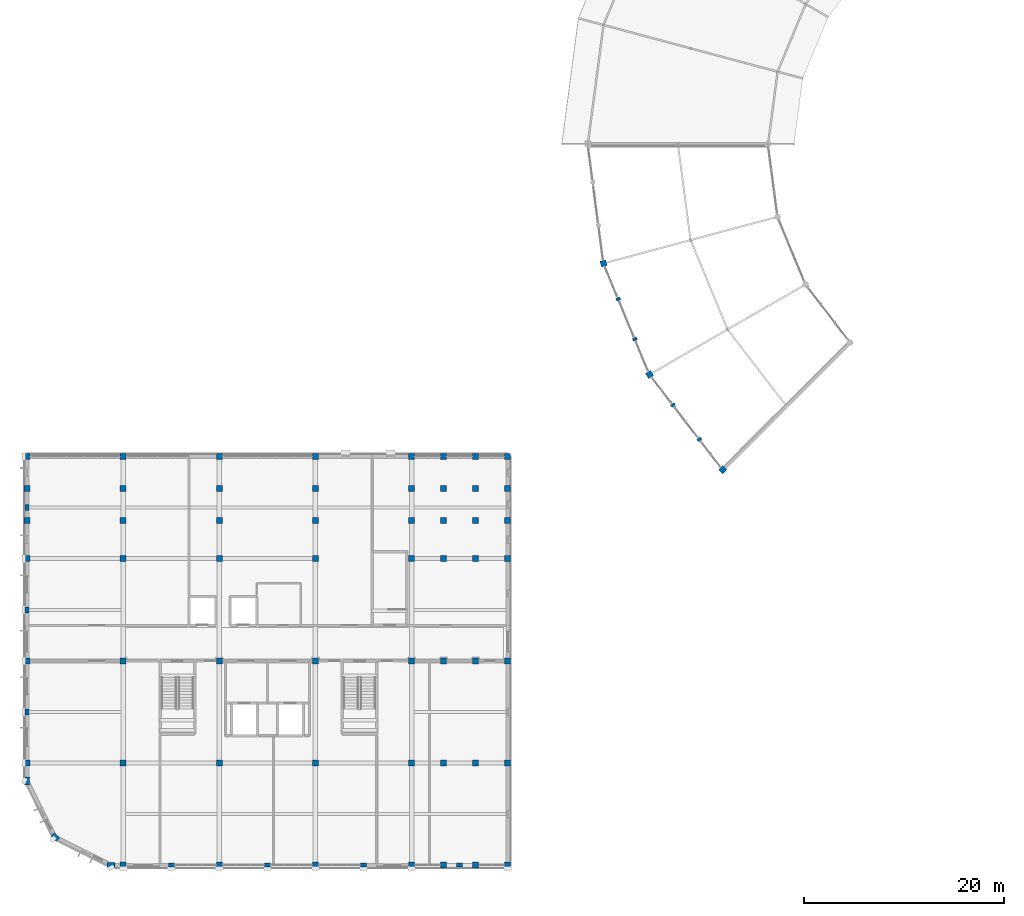
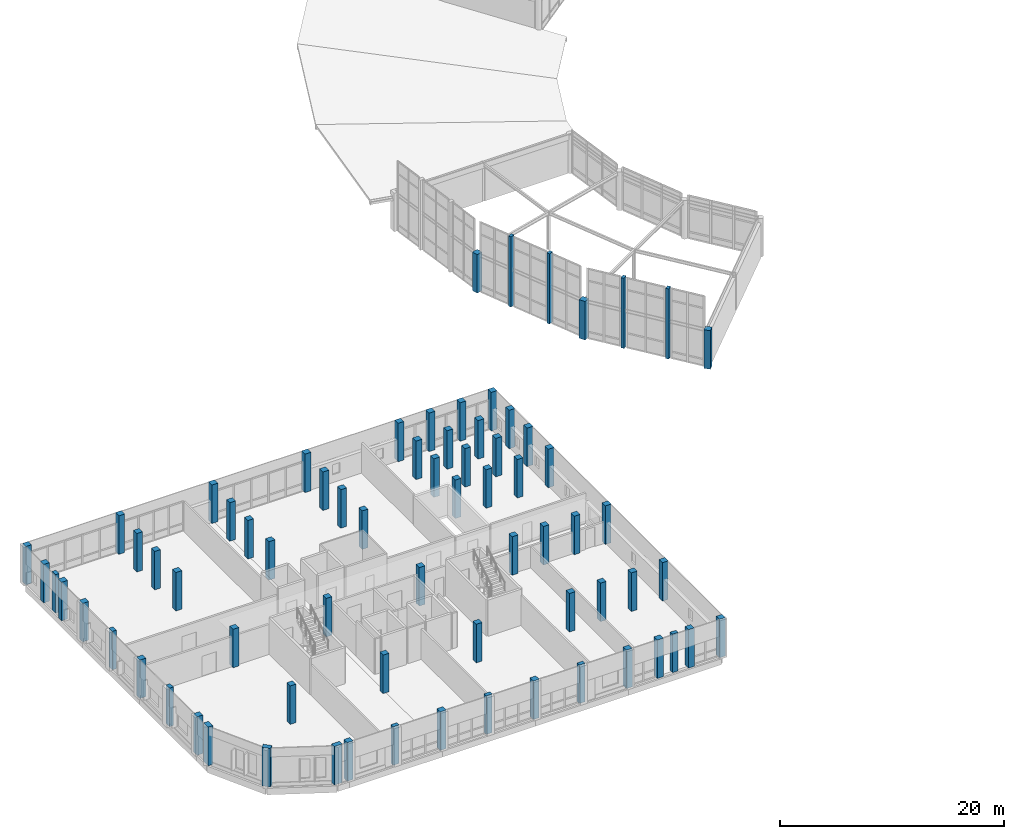
# One storey, part 1 of 93: 72 columns.
"""IFC4 building model written with IfcOpenShell, lengths in metres."""

from ifc_helpers import new_model, si_unit, direction, frame, origin, origin_2d, place, context, subcontext, project, spatial, rectangle, extrude, material, material_profile, profile_set, type_object, element, save


model = new_model("IFC4")

# Units and contexts
model_context = context("Model", 3, precision=1e-05, world=origin(), true_north=direction((0.0, 1.0)))
body_context = subcontext(model_context, "Body", "Model", "MODEL_VIEW")
ifc_project = project(units=[si_unit("LENGTHUNIT", "METRE"), si_unit("AREAUNIT", "SQUARE_METRE"), si_unit("VOLUMEUNIT", "CUBIC_METRE"), si_unit("PLANEANGLEUNIT", "RADIAN"), si_unit("MASSUNIT", "GRAM", prefix="KILO")], contexts=[model_context])

# Site, building, storey
site_placement = place(None, origin())
site = spatial("IfcSite", under=ifc_project, at=site_placement, CompositionType="ELEMENT")
building_placement = place(site_placement, origin())
building = spatial("IfcBuilding", under=site, at=building_placement, Name="Vondelvale Polytechnic", CompositionType="ELEMENT")
storey_placement = place(building_placement, frame((0.0, 0.0, 18.0)))
storey = spatial("IfcBuildingStorey", under=building, at=storey_placement, Name="L04", CompositionType="ELEMENT", Elevation=18.0)

# Columns
ifc_material_1 = material(Name="Glulam GL18 structural Tasmanian oak (fb = 42 MPa)", Category="wood")
ifc_material_profile_1 = material_profile(ifc_material_1, rectangle(XDim=0.300048828125, YDim=0.449951171875, at=origin_2d()), Name="GL-POST-300x450")
ifc_profile_set_1 = profile_set([ifc_material_profile_1], Name="Glulam GL18 structural Tasmanian oak (fb = 42 MPa)")
column_type_1 = type_object("IfcColumnType", Name="COL-GLULAM-300x450", PredefinedType="PILASTER", material=ifc_profile_set_1)
for number, where, z_axis, x_axis, name in (
    (1, (59.037841796875, 56.544189453125, 0.0), (0.0, 0.0, 1.0), (-0.382683432365, 0.923879532511, 0.0), "L04 ring outer glulam timber post C13-P1"),
    (2, (60.6923828125, 52.55029296875, 0.0), (0.0, 0.0, 1.0), (-0.382683432365, 0.923879532511, 0.0), "L04 ring outer glulam timber post C13-P2"),
    (3, (64.502197265625, 45.951416015625, 0.0), (0.0, 0.0, 1.0), (-0.608761429009, 0.793353340291, 0.0), "L04 ring outer glulam timber post C14-P1"),
    (4, (67.1337890625, 42.521728515625, 0.0), (0.0, 0.0, 1.0), (-0.608761429009, 0.793353340291, 0.0), "L04 ring outer glulam timber post C14-P2"),
):
    element("IfcColumn", number, at=place(storey_placement, frame(where, z_axis=z_axis, x_axis=x_axis)), inside=storey, type_object=column_type_1, Name=name, PredefinedType="PILASTER", context=body_context, shape_type="SweptSolid", body=[
        extrude(rectangle(XDim=0.300048828125, YDim=0.449951171875, at=origin_2d()), origin(), (0.0, 0.0, 1.0), 7.6513671875),
    ])
ifc_material_2 = material(Name="Concrete N50 (f'c = 50 MPa)", Category="concrete")
ifc_material_profile_2 = material_profile(ifc_material_2, rectangle(XDim=0.60009765625, YDim=0.60009765625, at=origin_2d()), Name="RC-COL-600x600")
ifc_profile_set_2 = profile_set([ifc_material_profile_2], Name="Concrete N50 (f'c = 50 MPa)")
column_type_2 = type_object("IfcColumnType", Name="COL-RC600", PredefinedType="COLUMN", material=ifc_profile_set_2)
for number, where, z_axis, x_axis, name in (
    (5, (0.0, 10.199951171875, 0.0), (0.0, 0.0, 1.0), (1.0, 0.0, 0.0), "L04 corner wing column (0.0,10.2)"),
    (6, (0.0, 20.39990234375, 0.0), (0.0, 0.0, 1.0), (1.0, 0.0, 0.0), "L04 corner wing column (0.0,20.4)"),
    (7, (0.0, 30.60009765625, 0.0), (0.0, 0.0, 1.0), (1.0, 0.0, 0.0), "L04 corner wing column (0.0,30.6)"),
    (8, (0.0, 34.39990234375, 0.0), (0.0, 0.0, 1.0), (1.0, 0.0, 0.0), "L04 corner wing column (0.0,34.4)"),
    (9, (0.0, 37.60009765625, 0.0), (0.0, 0.0, 1.0), (1.0, 0.0, 0.0), "L04 corner wing column (0.0,37.6)"),
    (10, (0.0, 40.800048828125, 0.0), (0.0, 0.0, 1.0), (1.0, 0.0, 0.0), "L04 corner wing column (0.0,40.8)"),
    (11, (9.60009765625, 0.0, 0.0), (0.0, 0.0, 1.0), (1.0, 0.0, 0.0), "L04 corner wing column (9.6,0.0)"),
    (12, (9.60009765625, 10.199951171875, 0.0), (0.0, 0.0, 1.0), (1.0, 0.0, 0.0), "L04 corner wing column (9.6,10.2)"),
    (13, (9.60009765625, 20.39990234375, 0.0), (0.0, 0.0, 1.0), (1.0, 0.0, 0.0), "L04 corner wing column (9.6,20.4)"),
    (14, (9.60009765625, 30.60009765625, 0.0), (0.0, 0.0, 1.0), (1.0, 0.0, 0.0), "L04 corner wing column (9.6,30.6)"),
    (15, (9.60009765625, 34.39990234375, 0.0), (0.0, 0.0, 1.0), (1.0, 0.0, 0.0), "L04 corner wing column (9.6,34.4)"),
    (16, (9.60009765625, 37.60009765625, 0.0), (0.0, 0.0, 1.0), (1.0, 0.0, 0.0), "L04 corner wing column (9.6,37.6)"),
    (17, (9.60009765625, 40.800048828125, 0.0), (0.0, 0.0, 1.0), (1.0, 0.0, 0.0), "L04 corner wing column (9.6,40.8)"),
    (18, (19.199951171875, 0.0, 0.0), (0.0, 0.0, 1.0), (1.0, 0.0, 0.0), "L04 corner wing column (19.2,0.0)"),
    (19, (19.199951171875, 10.199951171875, 0.0), (0.0, 0.0, 1.0), (1.0, 0.0, 0.0), "L04 corner wing column (19.2,10.2)"),
    (20, (19.199951171875, 20.39990234375, 0.0), (0.0, 0.0, 1.0), (1.0, 0.0, 0.0), "L04 corner wing column (19.2,20.4)"),
    (21, (19.199951171875, 30.60009765625, 0.0), (0.0, 0.0, 1.0), (1.0, 0.0, 0.0), "L04 corner wing column (19.2,30.6)"),
    (22, (19.199951171875, 34.39990234375, 0.0), (0.0, 0.0, 1.0), (1.0, 0.0, 0.0), "L04 corner wing column (19.2,34.4)"),
    (23, (19.199951171875, 37.60009765625, 0.0), (0.0, 0.0, 1.0), (1.0, 0.0, 0.0), "L04 corner wing column (19.2,37.6)"),
    (24, (19.199951171875, 40.800048828125, 0.0), (0.0, 0.0, 1.0), (1.0, 0.0, 0.0), "L04 corner wing column (19.2,40.8)"),
    (25, (28.800048828125, 0.0, 0.0), (0.0, 0.0, 1.0), (1.0, 0.0, 0.0), "L04 corner wing column (28.8,0.0)"),
    (26, (28.800048828125, 10.199951171875, 0.0), (0.0, 0.0, 1.0), (1.0, 0.0, 0.0), "L04 corner wing column (28.8,10.2)"),
    (27, (28.800048828125, 20.39990234375, 0.0), (0.0, 0.0, 1.0), (1.0, 0.0, 0.0), "L04 corner wing column (28.8,20.4)"),
    (28, (28.800048828125, 30.60009765625, 0.0), (0.0, 0.0, 1.0), (1.0, 0.0, 0.0), "L04 corner wing column (28.8,30.6)"),
    (29, (28.800048828125, 34.39990234375, 0.0), (0.0, 0.0, 1.0), (1.0, 0.0, 0.0), "L04 corner wing column (28.8,34.4)"),
    (30, (28.800048828125, 37.60009765625, 0.0), (0.0, 0.0, 1.0), (1.0, 0.0, 0.0), "L04 corner wing column (28.8,37.6)"),
    (31, (28.800048828125, 40.800048828125, 0.0), (0.0, 0.0, 1.0), (1.0, 0.0, 0.0), "L04 corner wing column (28.8,40.8)"),
    (32, (38.39990234375, 0.0, 0.0), (0.0, 0.0, 1.0), (1.0, 0.0, 0.0), "L04 corner wing column (38.4,0.0)"),
    (33, (38.39990234375, 10.199951171875, 0.0), (0.0, 0.0, 1.0), (1.0, 0.0, 0.0), "L04 corner wing column (38.4,10.2)"),
    (34, (38.39990234375, 20.39990234375, 0.0), (0.0, 0.0, 1.0), (1.0, 0.0, 0.0), "L04 corner wing column (38.4,20.4)"),
    (35, (38.39990234375, 30.60009765625, 0.0), (0.0, 0.0, 1.0), (1.0, 0.0, 0.0), "L04 corner wing column (38.4,30.6)"),
    (36, (38.39990234375, 34.39990234375, 0.0), (0.0, 0.0, 1.0), (1.0, 0.0, 0.0), "L04 corner wing column (38.4,34.4)"),
    (37, (38.39990234375, 37.60009765625, 0.0), (0.0, 0.0, 1.0), (1.0, 0.0, 0.0), "L04 corner wing column (38.4,37.6)"),
    (38, (38.39990234375, 40.800048828125, 0.0), (0.0, 0.0, 1.0), (1.0, 0.0, 0.0), "L04 corner wing column (38.4,40.8)"),
    (39, (41.60009765625, 0.0, 0.0), (0.0, 0.0, 1.0), (1.0, 0.0, 0.0), "L04 corner wing column (41.6,0.0)"),
    (40, (41.60009765625, 10.199951171875, 0.0), (0.0, 0.0, 1.0), (1.0, 0.0, 0.0), "L04 corner wing column (41.6,10.2)"),
    (41, (41.60009765625, 20.39990234375, 0.0), (0.0, 0.0, 1.0), (1.0, 0.0, 0.0), "L04 corner wing column (41.6,20.4)"),
    (42, (41.60009765625, 30.60009765625, 0.0), (0.0, 0.0, 1.0), (1.0, 0.0, 0.0), "L04 corner wing column (41.6,30.6)"),
    (43, (41.60009765625, 34.39990234375, 0.0), (0.0, 0.0, 1.0), (1.0, 0.0, 0.0), "L04 corner wing column (41.6,34.4)"),
    (44, (41.60009765625, 37.60009765625, 0.0), (0.0, 0.0, 1.0), (1.0, 0.0, 0.0), "L04 corner wing column (41.6,37.6)"),
    (45, (41.60009765625, 40.800048828125, 0.0), (0.0, 0.0, 1.0), (1.0, 0.0, 0.0), "L04 corner wing column (41.6,40.8)"),
    (46, (44.800048828125, 0.0, 0.0), (0.0, 0.0, 1.0), (1.0, 0.0, 0.0), "L04 corner wing column (44.8,0.0)"),
    (47, (44.800048828125, 10.199951171875, 0.0), (0.0, 0.0, 1.0), (1.0, 0.0, 0.0), "L04 corner wing column (44.8,10.2)"),
    (48, (44.800048828125, 20.39990234375, 0.0), (0.0, 0.0, 1.0), (1.0, 0.0, 0.0), "L04 corner wing column (44.8,20.4)"),
    (49, (44.800048828125, 30.60009765625, 0.0), (0.0, 0.0, 1.0), (1.0, 0.0, 0.0), "L04 corner wing column (44.8,30.6)"),
    (50, (44.800048828125, 34.39990234375, 0.0), (0.0, 0.0, 1.0), (1.0, 0.0, 0.0), "L04 corner wing column (44.8,34.4)"),
    (51, (44.800048828125, 37.60009765625, 0.0), (0.0, 0.0, 1.0), (1.0, 0.0, 0.0), "L04 corner wing column (44.8,37.6)"),
    (52, (44.800048828125, 40.800048828125, 0.0), (0.0, 0.0, 1.0), (1.0, 0.0, 0.0), "L04 corner wing column (44.8,40.8)"),
    (53, (48.0, 0.0, 0.0), (0.0, 0.0, 1.0), (1.0, 0.0, 0.0), "L04 corner wing column (48.0,0.0)"),
    (54, (48.0, 10.199951171875, 0.0), (0.0, 0.0, 1.0), (1.0, 0.0, 0.0), "L04 corner wing column (48.0,10.2)"),
    (55, (48.0, 20.39990234375, 0.0), (0.0, 0.0, 1.0), (1.0, 0.0, 0.0), "L04 corner wing column (48.0,20.4)"),
    (56, (48.0, 30.60009765625, 0.0), (0.0, 0.0, 1.0), (1.0, 0.0, 0.0), "L04 corner wing column (48.0,30.6)"),
    (57, (48.0, 34.39990234375, 0.0), (0.0, 0.0, 1.0), (1.0, 0.0, 0.0), "L04 corner wing column (48.0,34.4)"),
    (58, (48.0, 37.60009765625, 0.0), (0.0, 0.0, 1.0), (1.0, 0.0, 0.0), "L04 corner wing column (48.0,37.6)"),
    (59, (48.0, 40.800048828125, 0.0), (0.0, 0.0, 1.0), (1.0, 0.0, 0.0), "L04 corner wing column (48.0,40.8)"),
    (60, (57.5673828125, 60.09423828125, 0.0), (0.0, 0.0, 1.0), (0.965925826289, 0.258819045103, 0.0), "L04 courtyard ring column S13-RO"),
    (61, (62.162841796875, 49.0, 0.0), (0.0, 0.0, 1.0), (0.866025403784, 0.5, 0.0), "L04 courtyard ring column S14-RO"),
    (62, (69.47314453125, 39.47314453125, 0.0), (0.0, 0.0, 1.0), (0.707106781187, 0.707106781187, 0.0), "L04 courtyard ring column S15-RO"),
):
    element("IfcColumn", number, at=place(storey_placement, frame(where, z_axis=z_axis, x_axis=x_axis)), inside=storey, type_object=column_type_2, Name=name, PredefinedType="COLUMN", context=body_context, shape_type="SweptSolid", body=[
        extrude(rectangle(XDim=0.60009765625, YDim=0.60009765625, at=origin_2d()), origin(), (0.0, 0.0, 1.0), 4.199951171875),
    ])
ifc_material_profile_3 = material_profile(ifc_material_2, rectangle(XDim=0.39990234375, YDim=0.60009765625, at=origin_2d()), Name="RC-PIL-600x400")
ifc_profile_set_3 = profile_set([ifc_material_profile_3], Name="Concrete N50 (f'c = 50 MPa)")
column_type_3 = type_object("IfcColumnType", Name="PIL-RC600x400", PredefinedType="PILASTER", material=ifc_profile_set_3)
for number, where, z_axis, x_axis, name in (
    (63, (14.39990234375, 0.0, 0.0), (0.0, 0.0, 1.0), (0.0, 1.0, 0.0), "L04 South street brick pilaster 1"),
    (64, (24.0, 0.0, 0.0), (0.0, 0.0, 1.0), (0.0, 1.0, 0.0), "L04 South street brick pilaster 2"),
    (65, (33.60009765625, 0.0, 0.0), (0.0, 0.0, 1.0), (0.0, 1.0, 0.0), "L04 South street brick pilaster 3"),
    (66, (43.199951171875, 0.0, 0.0), (0.0, 0.0, 1.0), (0.0, 1.0, 0.0), "L04 South street brick pilaster 4"),
    (67, (0.0, 15.300048828125, 0.0), (0.0, 0.0, 1.0), (1.0, 0.0, 0.0), "L04 West street brick pilaster 1"),
    (68, (0.0, 25.5, 0.0), (0.0, 0.0, 1.0), (1.0, 0.0, 0.0), "L04 West street brick pilaster 2"),
    (69, (0.0, 35.699951171875, 0.0), (0.0, 0.0, 1.0), (1.0, 0.0, 0.0), "L04 West street brick pilaster 3"),
):
    element("IfcColumn", number, at=place(storey_placement, frame(where, z_axis=z_axis, x_axis=x_axis)), inside=storey, type_object=column_type_3, Name=name, PredefinedType="PILASTER", context=body_context, shape_type="SweptSolid", body=[
        extrude(rectangle(XDim=0.39990234375, YDim=0.60009765625, at=origin_2d()), origin(), (0.0, 0.0, 1.0), 4.199951171875),
    ])
ifc_material_profile_4 = material_profile(ifc_material_2, rectangle(XDim=0.5, YDim=0.800048828125, at=origin_2d()), Name="RC-PIL-800x500")
ifc_profile_set_4 = profile_set([ifc_material_profile_4], Name="Concrete N50 (f'c = 50 MPa)")
column_type_4 = type_object("IfcColumnType", Name="PIL-RC800x500", PredefinedType="PILASTER", material=ifc_profile_set_4)
for number, where, z_axis, x_axis, name in (
    (70, (8.39990234375, 0.0, 0.0), (0.0, 0.0, 1.0), (0.0, 1.0, 0.0), "L04 SW corner turret pier TR-S"),
    (71, (2.800048828125, 2.800048828125, 0.0), (0.0, 0.0, 1.0), (0.707106781187, 0.707106781187, 0.0), "L04 SW corner turret pier TR-M"),
    (72, (0.0, 8.39990234375, 0.0), (0.0, 0.0, 1.0), (1.0, 0.0, 0.0), "L04 SW corner turret pier TR-W"),
):
    element("IfcColumn", number, at=place(storey_placement, frame(where, z_axis=z_axis, x_axis=x_axis)), inside=storey, type_object=column_type_4, Name=name, PredefinedType="PILASTER", context=body_context, shape_type="SweptSolid", body=[
        extrude(rectangle(XDim=0.5, YDim=0.800048828125, at=origin_2d()), origin(), (0.0, 0.0, 1.0), 4.199951171875),
    ])

save(model, "model.ifc")
